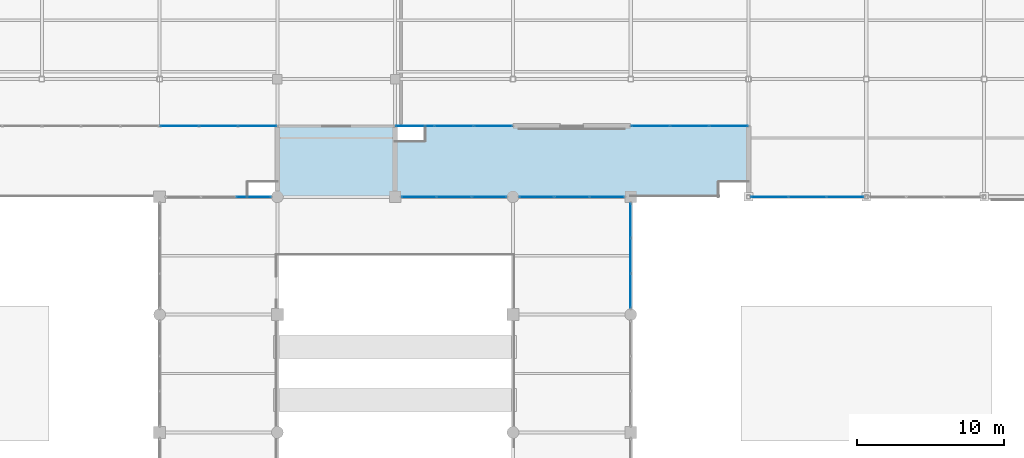
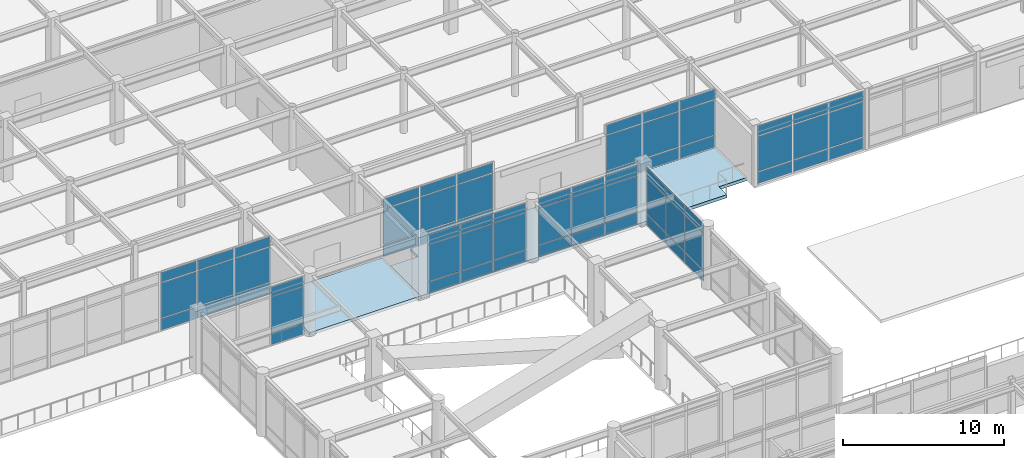
# One storey, part 86 of 117: 66 plates, 2 slabs, 8 elements without a shape of their own.
"""IFC4 building model written with IfcOpenShell, lengths in metres."""

from ifc_helpers import new_model, si_unit, direction, frame, origin, origin_2d, place, context, subcontext, project, spatial, polyline, rectangle, outline, extrude, material, layer, layer_set, type_object, element, aggregate, save


model = new_model("IFC4")

# Units and contexts
model_context = context("Model", 3, precision=1e-05, world=origin(), true_north=direction((0.0, 1.0)))
body_context = subcontext(model_context, "Body", "Model", "MODEL_VIEW")
ifc_project = project(units=[si_unit("LENGTHUNIT", "METRE"), si_unit("AREAUNIT", "SQUARE_METRE"), si_unit("VOLUMEUNIT", "CUBIC_METRE"), si_unit("PLANEANGLEUNIT", "RADIAN"), si_unit("MASSUNIT", "GRAM", prefix="KILO")], contexts=[model_context])

# Site, building, storey
site_placement = place(None, origin())
site = spatial("IfcSite", under=ifc_project, at=site_placement, CompositionType="ELEMENT")
building_placement = place(site_placement, origin())
building = spatial("IfcBuilding", under=site, at=building_placement, Name="Solmirada Galleria", CompositionType="ELEMENT")
storey_placement = place(building_placement, frame((0.0, 0.0, 5.60009765625)))
storey = spatial("IfcBuildingStorey", under=building, at=storey_placement, Name="L01", CompositionType="ELEMENT", Elevation=5.60009765625)

# Curtain wall, plates
ifc_material_1 = material(Name="Impact-resistant low-E double glazing", Category="glass")
curtain_wall_type_1 = type_object("IfcCurtainWallType", Name="CW-FZ3-L01-B3-L072", PredefinedType="NOTDEFINED", material=ifc_material_1)
curtain_wall_1_placement = place(storey_placement, origin())
curtain_wall_1 = element("IfcCurtainWall", 1, at=curtain_wall_1_placement, inside=storey, type_object=curtain_wall_type_1, Name="Terrace and arcade storefront CW-L01-047", PredefinedType="NOTDEFINED")
ifc_layer_1 = layer(ifc_material_1, 0.035888671875)
ifc_layer_set_1 = layer_set([ifc_layer_1], Name="Impact-resistant low-E double glazing")
plate_type_1 = type_object("IfcPlateType", Name="CW-PNL-CW12-T36", PredefinedType="CURTAIN_PANEL", material=ifc_layer_set_1)
plate_1_placement = place(storey_placement, frame((86.38232421875, 72.0, 0.06494140625), z_axis=(0.0, 0.0, 1.0), x_axis=(1.0, 0.0, 0.0)))
plate_1 = element("IfcPlate", 2, at=plate_1_placement, type_object=plate_type_1, Name="CW12 panel 3.1", PredefinedType="CURTAIN_PANEL", context=body_context, shape_type="SweptSolid", body=[
    extrude(rectangle(XDim=2.30126953125, YDim=0.035888671875, at=origin_2d()), origin(), (0.0, 0.0, 1.0), 0.802490234375),
])
plate_2_placement = place(storey_placement, frame((86.38232421875, 72.0, 0.9326171875), z_axis=(0.0, 0.0, 1.0), x_axis=(1.0, 0.0, 0.0)))
plate_2 = element("IfcPlate", 3, at=plate_2_placement, type_object=plate_type_1, Name="CW12 panel 3.2", PredefinedType="CURTAIN_PANEL", context=body_context, shape_type="SweptSolid", body=[
    extrude(rectangle(XDim=2.30126953125, YDim=0.035888671875, at=origin_2d()), origin(), (0.0, 0.0, 1.0), 2.764892578125),
])
plate_3_placement = place(storey_placement, frame((86.38232421875, 72.0, 3.762451171875), z_axis=(0.0, 0.0, 1.0), x_axis=(1.0, 0.0, 0.0)))
plate_3 = element("IfcPlate", 4, at=plate_3_placement, type_object=plate_type_1, Name="CW12 panel 3.3", PredefinedType="CURTAIN_PANEL", context=body_context, shape_type="SweptSolid", body=[
    extrude(rectangle(XDim=2.30126953125, YDim=0.035888671875, at=origin_2d()), origin(), (0.0, 0.0, 1.0), 0.6923828125),
])
aggregate(curtain_wall_1, [plate_1, plate_2, plate_3])

curtain_wall_2_placement = place(storey_placement, origin())
curtain_wall_2 = element("IfcCurtainWall", 5, at=curtain_wall_2_placement, inside=storey, type_object=curtain_wall_type_1, Name="Terrace and arcade storefront CW-L01-066", PredefinedType="NOTDEFINED")
plate_4_placement = place(storey_placement, frame((97.61767578125, 72.0, 0.06494140625), z_axis=(0.0, 0.0, 1.0), x_axis=(1.0, 0.0, 0.0)))
plate_4 = element("IfcPlate", 6, at=plate_4_placement, type_object=plate_type_1, Name="CW12 panel 1.1", PredefinedType="CURTAIN_PANEL", context=body_context, shape_type="SweptSolid", body=[
    extrude(rectangle(XDim=2.30126953125, YDim=0.035888671875, at=origin_2d()), origin(), (0.0, 0.0, 1.0), 0.802490234375),
])
plate_5_placement = place(storey_placement, frame((97.61767578125, 72.0, 0.9326171875), z_axis=(0.0, 0.0, 1.0), x_axis=(1.0, 0.0, 0.0)))
plate_5 = element("IfcPlate", 7, at=plate_5_placement, type_object=plate_type_1, Name="CW12 panel 1.2", PredefinedType="CURTAIN_PANEL", context=body_context, shape_type="SweptSolid", body=[
    extrude(rectangle(XDim=2.30126953125, YDim=0.035888671875, at=origin_2d()), origin(), (0.0, 0.0, 1.0), 2.764892578125),
])
plate_6_placement = place(storey_placement, frame((97.61767578125, 72.0, 3.762451171875), z_axis=(0.0, 0.0, 1.0), x_axis=(1.0, 0.0, 0.0)))
plate_6 = element("IfcPlate", 8, at=plate_6_placement, type_object=plate_type_1, Name="CW12 panel 1.3", PredefinedType="CURTAIN_PANEL", context=body_context, shape_type="SweptSolid", body=[
    extrude(rectangle(XDim=2.30126953125, YDim=0.035888671875, at=origin_2d()), origin(), (0.0, 0.0, 1.0), 0.6923828125),
])
plate_7_placement = place(storey_placement, frame((100.0, 72.0, 0.06494140625), z_axis=(0.0, 0.0, 1.0), x_axis=(1.0, 0.0, 0.0)))
plate_7 = element("IfcPlate", 9, at=plate_7_placement, type_object=plate_type_1, Name="CW12 panel 2.1", PredefinedType="CURTAIN_PANEL", context=body_context, shape_type="SweptSolid", body=[
    extrude(rectangle(XDim=2.333740234375, YDim=0.035888671875, at=origin_2d()), origin(), (0.0, 0.0, 1.0), 0.802490234375),
])
plate_8_placement = place(storey_placement, frame((100.0, 72.0, 0.9326171875), z_axis=(0.0, 0.0, 1.0), x_axis=(1.0, 0.0, 0.0)))
plate_8 = element("IfcPlate", 10, at=plate_8_placement, type_object=plate_type_1, Name="CW12 panel 2.2", PredefinedType="CURTAIN_PANEL", context=body_context, shape_type="SweptSolid", body=[
    extrude(rectangle(XDim=2.333740234375, YDim=0.035888671875, at=origin_2d()), origin(), (0.0, 0.0, 1.0), 2.764892578125),
])
plate_9_placement = place(storey_placement, frame((100.0, 72.0, 3.762451171875), z_axis=(0.0, 0.0, 1.0), x_axis=(1.0, 0.0, 0.0)))
plate_9 = element("IfcPlate", 11, at=plate_9_placement, type_object=plate_type_1, Name="CW12 panel 2.3", PredefinedType="CURTAIN_PANEL", context=body_context, shape_type="SweptSolid", body=[
    extrude(rectangle(XDim=2.333740234375, YDim=0.035888671875, at=origin_2d()), origin(), (0.0, 0.0, 1.0), 0.6923828125),
])
plate_10_placement = place(storey_placement, frame((102.38232421875, 72.0, 0.06494140625), z_axis=(0.0, 0.0, 1.0), x_axis=(1.0, 0.0, 0.0)))
plate_10 = element("IfcPlate", 12, at=plate_10_placement, type_object=plate_type_1, Name="CW12 panel 3.1", PredefinedType="CURTAIN_PANEL", context=body_context, shape_type="SweptSolid", body=[
    extrude(rectangle(XDim=2.30126953125, YDim=0.035888671875, at=origin_2d()), origin(), (0.0, 0.0, 1.0), 0.802490234375),
])
plate_11_placement = place(storey_placement, frame((102.38232421875, 72.0, 0.9326171875), z_axis=(0.0, 0.0, 1.0), x_axis=(1.0, 0.0, 0.0)))
plate_11 = element("IfcPlate", 13, at=plate_11_placement, type_object=plate_type_1, Name="CW12 panel 3.2", PredefinedType="CURTAIN_PANEL", context=body_context, shape_type="SweptSolid", body=[
    extrude(rectangle(XDim=2.30126953125, YDim=0.035888671875, at=origin_2d()), origin(), (0.0, 0.0, 1.0), 2.764892578125),
])
plate_12_placement = place(storey_placement, frame((102.38232421875, 72.0, 3.762451171875), z_axis=(0.0, 0.0, 1.0), x_axis=(1.0, 0.0, 0.0)))
plate_12 = element("IfcPlate", 14, at=plate_12_placement, type_object=plate_type_1, Name="CW12 panel 3.3", PredefinedType="CURTAIN_PANEL", context=body_context, shape_type="SweptSolid", body=[
    extrude(rectangle(XDim=2.30126953125, YDim=0.035888671875, at=origin_2d()), origin(), (0.0, 0.0, 1.0), 0.6923828125),
])
aggregate(curtain_wall_2, [plate_4, plate_5, plate_6, plate_7, plate_8, plate_9, plate_10, plate_11, plate_12])

curtain_wall_3_placement = place(storey_placement, origin())
curtain_wall_3 = element("IfcCurtainWall", 15, at=curtain_wall_3_placement, inside=storey, type_object=curtain_wall_type_1, Name="Terrace and arcade storefront CW-L01-067", PredefinedType="NOTDEFINED")
plate_13_placement = place(storey_placement, frame((105.61767578125, 72.0, 0.06494140625), z_axis=(0.0, 0.0, 1.0), x_axis=(1.0, 0.0, 0.0)))
plate_13 = element("IfcPlate", 16, at=plate_13_placement, type_object=plate_type_1, Name="CW12 panel 1.1", PredefinedType="CURTAIN_PANEL", context=body_context, shape_type="SweptSolid", body=[
    extrude(rectangle(XDim=2.30126953125, YDim=0.035888671875, at=origin_2d()), origin(), (0.0, 0.0, 1.0), 0.802490234375),
])
plate_14_placement = place(storey_placement, frame((105.61767578125, 72.0, 0.9326171875), z_axis=(0.0, 0.0, 1.0), x_axis=(1.0, 0.0, 0.0)))
plate_14 = element("IfcPlate", 17, at=plate_14_placement, type_object=plate_type_1, Name="CW12 panel 1.2", PredefinedType="CURTAIN_PANEL", context=body_context, shape_type="SweptSolid", body=[
    extrude(rectangle(XDim=2.30126953125, YDim=0.035888671875, at=origin_2d()), origin(), (0.0, 0.0, 1.0), 2.764892578125),
])
plate_15_placement = place(storey_placement, frame((105.61767578125, 72.0, 3.762451171875), z_axis=(0.0, 0.0, 1.0), x_axis=(1.0, 0.0, 0.0)))
plate_15 = element("IfcPlate", 18, at=plate_15_placement, type_object=plate_type_1, Name="CW12 panel 1.3", PredefinedType="CURTAIN_PANEL", context=body_context, shape_type="SweptSolid", body=[
    extrude(rectangle(XDim=2.30126953125, YDim=0.035888671875, at=origin_2d()), origin(), (0.0, 0.0, 1.0), 0.6923828125),
])
plate_16_placement = place(storey_placement, frame((108.0, 72.0, 0.06494140625), z_axis=(0.0, 0.0, 1.0), x_axis=(1.0, 0.0, 0.0)))
plate_16 = element("IfcPlate", 19, at=plate_16_placement, type_object=plate_type_1, Name="CW12 panel 2.1", PredefinedType="CURTAIN_PANEL", context=body_context, shape_type="SweptSolid", body=[
    extrude(rectangle(XDim=2.333740234375, YDim=0.035888671875, at=origin_2d()), origin(), (0.0, 0.0, 1.0), 0.802490234375),
])
plate_17_placement = place(storey_placement, frame((108.0, 72.0, 0.9326171875), z_axis=(0.0, 0.0, 1.0), x_axis=(1.0, 0.0, 0.0)))
plate_17 = element("IfcPlate", 20, at=plate_17_placement, type_object=plate_type_1, Name="CW12 panel 2.2", PredefinedType="CURTAIN_PANEL", context=body_context, shape_type="SweptSolid", body=[
    extrude(rectangle(XDim=2.333740234375, YDim=0.035888671875, at=origin_2d()), origin(), (0.0, 0.0, 1.0), 2.764892578125),
])
plate_18_placement = place(storey_placement, frame((108.0, 72.0, 3.762451171875), z_axis=(0.0, 0.0, 1.0), x_axis=(1.0, 0.0, 0.0)))
plate_18 = element("IfcPlate", 21, at=plate_18_placement, type_object=plate_type_1, Name="CW12 panel 2.3", PredefinedType="CURTAIN_PANEL", context=body_context, shape_type="SweptSolid", body=[
    extrude(rectangle(XDim=2.333740234375, YDim=0.035888671875, at=origin_2d()), origin(), (0.0, 0.0, 1.0), 0.6923828125),
])
plate_19_placement = place(storey_placement, frame((110.38232421875, 72.0, 0.06494140625), z_axis=(0.0, 0.0, 1.0), x_axis=(1.0, 0.0, 0.0)))
plate_19 = element("IfcPlate", 22, at=plate_19_placement, type_object=plate_type_1, Name="CW12 panel 3.1", PredefinedType="CURTAIN_PANEL", context=body_context, shape_type="SweptSolid", body=[
    extrude(rectangle(XDim=2.30126953125, YDim=0.035888671875, at=origin_2d()), origin(), (0.0, 0.0, 1.0), 0.802490234375),
])
plate_20_placement = place(storey_placement, frame((110.38232421875, 72.0, 0.9326171875), z_axis=(0.0, 0.0, 1.0), x_axis=(1.0, 0.0, 0.0)))
plate_20 = element("IfcPlate", 23, at=plate_20_placement, type_object=plate_type_1, Name="CW12 panel 3.2", PredefinedType="CURTAIN_PANEL", context=body_context, shape_type="SweptSolid", body=[
    extrude(rectangle(XDim=2.30126953125, YDim=0.035888671875, at=origin_2d()), origin(), (0.0, 0.0, 1.0), 2.764892578125),
])
plate_21_placement = place(storey_placement, frame((110.38232421875, 72.0, 3.762451171875), z_axis=(0.0, 0.0, 1.0), x_axis=(1.0, 0.0, 0.0)))
plate_21 = element("IfcPlate", 24, at=plate_21_placement, type_object=plate_type_1, Name="CW12 panel 3.3", PredefinedType="CURTAIN_PANEL", context=body_context, shape_type="SweptSolid", body=[
    extrude(rectangle(XDim=2.30126953125, YDim=0.035888671875, at=origin_2d()), origin(), (0.0, 0.0, 1.0), 0.6923828125),
])
aggregate(curtain_wall_3, [plate_13, plate_14, plate_15, plate_16, plate_17, plate_18, plate_19, plate_20, plate_21])

curtain_wall_4_placement = place(storey_placement, origin())
curtain_wall_4 = element("IfcCurtainWall", 25, at=curtain_wall_4_placement, inside=storey, type_object=curtain_wall_type_1, Name="Terrace and arcade storefront CW-L01-068", PredefinedType="NOTDEFINED")
plate_22_placement = place(storey_placement, frame((112.0, 70.38232421875, 0.06494140625), z_axis=(0.0, 0.0, 1.0), x_axis=(0.0, -1.0, 0.0)))
plate_22 = element("IfcPlate", 26, at=plate_22_placement, type_object=plate_type_1, Name="CW12 panel 1.1", PredefinedType="CURTAIN_PANEL", context=body_context, shape_type="SweptSolid", body=[
    extrude(rectangle(XDim=2.30126953125, YDim=0.035888671875, at=origin_2d()), origin(), (0.0, 0.0, 1.0), 0.802490234375),
])
plate_23_placement = place(storey_placement, frame((112.0, 70.38232421875, 0.9326171875), z_axis=(0.0, 0.0, 1.0), x_axis=(0.0, -1.0, 0.0)))
plate_23 = element("IfcPlate", 27, at=plate_23_placement, type_object=plate_type_1, Name="CW12 panel 1.2", PredefinedType="CURTAIN_PANEL", context=body_context, shape_type="SweptSolid", body=[
    extrude(rectangle(XDim=2.30126953125, YDim=0.035888671875, at=origin_2d()), origin(), (0.0, 0.0, 1.0), 2.764892578125),
])
plate_24_placement = place(storey_placement, frame((112.0, 70.38232421875, 3.762451171875), z_axis=(0.0, 0.0, 1.0), x_axis=(0.0, -1.0, 0.0)))
plate_24 = element("IfcPlate", 28, at=plate_24_placement, type_object=plate_type_1, Name="CW12 panel 1.3", PredefinedType="CURTAIN_PANEL", context=body_context, shape_type="SweptSolid", body=[
    extrude(rectangle(XDim=2.30126953125, YDim=0.035888671875, at=origin_2d()), origin(), (0.0, 0.0, 1.0), 0.6923828125),
])
plate_25_placement = place(storey_placement, frame((112.0, 68.0, 0.06494140625), z_axis=(0.0, 0.0, 1.0), x_axis=(0.0, -1.0, 0.0)))
plate_25 = element("IfcPlate", 29, at=plate_25_placement, type_object=plate_type_1, Name="CW12 panel 2.1", PredefinedType="CURTAIN_PANEL", context=body_context, shape_type="SweptSolid", body=[
    extrude(rectangle(XDim=2.333740234375, YDim=0.035888671875, at=origin_2d()), origin(), (0.0, 0.0, 1.0), 0.802490234375),
])
plate_26_placement = place(storey_placement, frame((112.0, 68.0, 0.9326171875), z_axis=(0.0, 0.0, 1.0), x_axis=(0.0, -1.0, 0.0)))
plate_26 = element("IfcPlate", 30, at=plate_26_placement, type_object=plate_type_1, Name="CW12 panel 2.2", PredefinedType="CURTAIN_PANEL", context=body_context, shape_type="SweptSolid", body=[
    extrude(rectangle(XDim=2.333740234375, YDim=0.035888671875, at=origin_2d()), origin(), (0.0, 0.0, 1.0), 2.764892578125),
])
plate_27_placement = place(storey_placement, frame((112.0, 68.0, 3.762451171875), z_axis=(0.0, 0.0, 1.0), x_axis=(0.0, -1.0, 0.0)))
plate_27 = element("IfcPlate", 31, at=plate_27_placement, type_object=plate_type_1, Name="CW12 panel 2.3", PredefinedType="CURTAIN_PANEL", context=body_context, shape_type="SweptSolid", body=[
    extrude(rectangle(XDim=2.333740234375, YDim=0.035888671875, at=origin_2d()), origin(), (0.0, 0.0, 1.0), 0.6923828125),
])
plate_28_placement = place(storey_placement, frame((112.0, 65.61767578125, 0.06494140625), z_axis=(0.0, 0.0, 1.0), x_axis=(0.0, -1.0, 0.0)))
plate_28 = element("IfcPlate", 32, at=plate_28_placement, type_object=plate_type_1, Name="CW12 panel 3.1", PredefinedType="CURTAIN_PANEL", context=body_context, shape_type="SweptSolid", body=[
    extrude(rectangle(XDim=2.30126953125, YDim=0.035888671875, at=origin_2d()), origin(), (0.0, 0.0, 1.0), 0.802490234375),
])
plate_29_placement = place(storey_placement, frame((112.0, 65.61767578125, 0.9326171875), z_axis=(0.0, 0.0, 1.0), x_axis=(0.0, -1.0, 0.0)))
plate_29 = element("IfcPlate", 33, at=plate_29_placement, type_object=plate_type_1, Name="CW12 panel 3.2", PredefinedType="CURTAIN_PANEL", context=body_context, shape_type="SweptSolid", body=[
    extrude(rectangle(XDim=2.30126953125, YDim=0.035888671875, at=origin_2d()), origin(), (0.0, 0.0, 1.0), 2.764892578125),
])
plate_30_placement = place(storey_placement, frame((112.0, 65.61767578125, 3.762451171875), z_axis=(0.0, 0.0, 1.0), x_axis=(0.0, -1.0, 0.0)))
plate_30 = element("IfcPlate", 34, at=plate_30_placement, type_object=plate_type_1, Name="CW12 panel 3.3", PredefinedType="CURTAIN_PANEL", context=body_context, shape_type="SweptSolid", body=[
    extrude(rectangle(XDim=2.30126953125, YDim=0.035888671875, at=origin_2d()), origin(), (0.0, 0.0, 1.0), 0.6923828125),
])
aggregate(curtain_wall_4, [plate_22, plate_23, plate_24, plate_25, plate_26, plate_27, plate_28, plate_29, plate_30])

curtain_wall_type_2 = type_object("IfcCurtainWallType", Name="CW-FZ4-L01-B3-L080", PredefinedType="NOTDEFINED", material=ifc_material_1)
curtain_wall_5_placement = place(storey_placement, origin())
curtain_wall_5 = element("IfcCurtainWall", 35, at=curtain_wall_5_placement, inside=storey, type_object=curtain_wall_type_2, Name="Terrace and arcade storefront CW-L01-048", PredefinedType="NOTDEFINED")
ifc_layer_2 = layer(ifc_material_1, 0.0419921875)
ifc_layer_set_2 = layer_set([ifc_layer_2], Name="Impact-resistant low-E double glazing")
plate_type_2 = type_object("IfcPlateType", Name="CW-PNL-CW13-T42", PredefinedType="CURTAIN_PANEL", material=ifc_layer_set_2)
plate_31_placement = place(storey_placement, frame((86.650390625, 76.800048828125, 0.06494140625), z_axis=(0.0, 0.0, 1.0), x_axis=(-1.0, 0.0, 0.0)))
plate_31 = element("IfcPlate", 36, at=plate_31_placement, type_object=plate_type_2, Name="CW13 panel 1.1", PredefinedType="CURTAIN_PANEL", context=body_context, shape_type="SweptSolid", body=[
    extrude(rectangle(XDim=2.569091796875, YDim=0.0419921875, at=origin_2d()), origin(), (0.0, 0.0, 1.0), 0.862548828125),
])
plate_32_placement = place(storey_placement, frame((86.650390625, 76.800048828125, 0.9921875), z_axis=(0.0, 0.0, 1.0), x_axis=(-1.0, 0.0, 0.0)))
plate_32 = element("IfcPlate", 37, at=plate_32_placement, type_object=plate_type_2, Name="CW13 panel 1.2", PredefinedType="CURTAIN_PANEL", context=body_context, shape_type="SweptSolid", body=[
    extrude(rectangle(XDim=2.569091796875, YDim=0.0419921875, at=origin_2d()), origin(), (0.0, 0.0, 1.0), 2.655029296875),
])
plate_33_placement = place(storey_placement, frame((86.650390625, 76.800048828125, 3.71240234375), z_axis=(0.0, 0.0, 1.0), x_axis=(-1.0, 0.0, 0.0)))
plate_33 = element("IfcPlate", 38, at=plate_33_placement, type_object=plate_type_2, Name="CW13 panel 1.3", PredefinedType="CURTAIN_PANEL", context=body_context, shape_type="SweptSolid", body=[
    extrude(rectangle(XDim=2.569091796875, YDim=0.0419921875, at=origin_2d()), origin(), (0.0, 0.0, 1.0), 0.742431640625),
])
plate_34_placement = place(storey_placement, frame((84.0, 76.800048828125, 0.06494140625), z_axis=(0.0, 0.0, 1.0), x_axis=(-1.0, 0.0, 0.0)))
plate_34 = element("IfcPlate", 39, at=plate_34_placement, type_object=plate_type_2, Name="CW13 panel 2.1", PredefinedType="CURTAIN_PANEL", context=body_context, shape_type="SweptSolid", body=[
    extrude(rectangle(XDim=2.6015625, YDim=0.0419921875, at=origin_2d()), origin(), (0.0, 0.0, 1.0), 0.862548828125),
])
plate_35_placement = place(storey_placement, frame((84.0, 76.800048828125, 0.9921875), z_axis=(0.0, 0.0, 1.0), x_axis=(-1.0, 0.0, 0.0)))
plate_35 = element("IfcPlate", 40, at=plate_35_placement, type_object=plate_type_2, Name="CW13 panel 2.2", PredefinedType="CURTAIN_PANEL", context=body_context, shape_type="SweptSolid", body=[
    extrude(rectangle(XDim=2.6015625, YDim=0.0419921875, at=origin_2d()), origin(), (0.0, 0.0, 1.0), 2.655029296875),
])
plate_36_placement = place(storey_placement, frame((84.0, 76.800048828125, 3.71240234375), z_axis=(0.0, 0.0, 1.0), x_axis=(-1.0, 0.0, 0.0)))
plate_36 = element("IfcPlate", 41, at=plate_36_placement, type_object=plate_type_2, Name="CW13 panel 2.3", PredefinedType="CURTAIN_PANEL", context=body_context, shape_type="SweptSolid", body=[
    extrude(rectangle(XDim=2.6015625, YDim=0.0419921875, at=origin_2d()), origin(), (0.0, 0.0, 1.0), 0.742431640625),
])
plate_37_placement = place(storey_placement, frame((81.349609375, 76.800048828125, 0.06494140625), z_axis=(0.0, 0.0, 1.0), x_axis=(-1.0, 0.0, 0.0)))
plate_37 = element("IfcPlate", 42, at=plate_37_placement, type_object=plate_type_2, Name="CW13 panel 3.1", PredefinedType="CURTAIN_PANEL", context=body_context, shape_type="SweptSolid", body=[
    extrude(rectangle(XDim=2.569091796875, YDim=0.0419921875, at=origin_2d()), origin(), (0.0, 0.0, 1.0), 0.862548828125),
])
plate_38_placement = place(storey_placement, frame((81.349609375, 76.800048828125, 0.9921875), z_axis=(0.0, 0.0, 1.0), x_axis=(-1.0, 0.0, 0.0)))
plate_38 = element("IfcPlate", 43, at=plate_38_placement, type_object=plate_type_2, Name="CW13 panel 3.2", PredefinedType="CURTAIN_PANEL", context=body_context, shape_type="SweptSolid", body=[
    extrude(rectangle(XDim=2.569091796875, YDim=0.0419921875, at=origin_2d()), origin(), (0.0, 0.0, 1.0), 2.655029296875),
])
plate_39_placement = place(storey_placement, frame((81.349609375, 76.800048828125, 3.71240234375), z_axis=(0.0, 0.0, 1.0), x_axis=(-1.0, 0.0, 0.0)))
plate_39 = element("IfcPlate", 44, at=plate_39_placement, type_object=plate_type_2, Name="CW13 panel 3.3", PredefinedType="CURTAIN_PANEL", context=body_context, shape_type="SweptSolid", body=[
    extrude(rectangle(XDim=2.569091796875, YDim=0.0419921875, at=origin_2d()), origin(), (0.0, 0.0, 1.0), 0.742431640625),
])
aggregate(curtain_wall_5, [plate_31, plate_32, plate_33, plate_34, plate_35, plate_36, plate_37, plate_38, plate_39])

curtain_wall_6_placement = place(storey_placement, origin())
curtain_wall_6 = element("IfcCurtainWall", 45, at=curtain_wall_6_placement, inside=storey, type_object=curtain_wall_type_2, Name="Terrace and arcade storefront CW-L01-064", PredefinedType="NOTDEFINED")
plate_40_placement = place(storey_placement, frame((118.650390625, 76.800048828125, 0.06494140625), z_axis=(0.0, 0.0, 1.0), x_axis=(-1.0, 0.0, 0.0)))
plate_40 = element("IfcPlate", 46, at=plate_40_placement, type_object=plate_type_2, Name="CW13 panel 1.1", PredefinedType="CURTAIN_PANEL", context=body_context, shape_type="SweptSolid", body=[
    extrude(rectangle(XDim=2.569091796875, YDim=0.0419921875, at=origin_2d()), origin(), (0.0, 0.0, 1.0), 0.862548828125),
])
plate_41_placement = place(storey_placement, frame((118.650390625, 76.800048828125, 0.9921875), z_axis=(0.0, 0.0, 1.0), x_axis=(-1.0, 0.0, 0.0)))
plate_41 = element("IfcPlate", 47, at=plate_41_placement, type_object=plate_type_2, Name="CW13 panel 1.2", PredefinedType="CURTAIN_PANEL", context=body_context, shape_type="SweptSolid", body=[
    extrude(rectangle(XDim=2.569091796875, YDim=0.0419921875, at=origin_2d()), origin(), (0.0, 0.0, 1.0), 2.655029296875),
])
plate_42_placement = place(storey_placement, frame((118.650390625, 76.800048828125, 3.71240234375), z_axis=(0.0, 0.0, 1.0), x_axis=(-1.0, 0.0, 0.0)))
plate_42 = element("IfcPlate", 48, at=plate_42_placement, type_object=plate_type_2, Name="CW13 panel 1.3", PredefinedType="CURTAIN_PANEL", context=body_context, shape_type="SweptSolid", body=[
    extrude(rectangle(XDim=2.569091796875, YDim=0.0419921875, at=origin_2d()), origin(), (0.0, 0.0, 1.0), 0.742431640625),
])
plate_43_placement = place(storey_placement, frame((116.0, 76.800048828125, 0.06494140625), z_axis=(0.0, 0.0, 1.0), x_axis=(-1.0, 0.0, 0.0)))
plate_43 = element("IfcPlate", 49, at=plate_43_placement, type_object=plate_type_2, Name="CW13 panel 2.1", PredefinedType="CURTAIN_PANEL", context=body_context, shape_type="SweptSolid", body=[
    extrude(rectangle(XDim=2.6015625, YDim=0.0419921875, at=origin_2d()), origin(), (0.0, 0.0, 1.0), 0.862548828125),
])
plate_44_placement = place(storey_placement, frame((116.0, 76.800048828125, 0.9921875), z_axis=(0.0, 0.0, 1.0), x_axis=(-1.0, 0.0, 0.0)))
plate_44 = element("IfcPlate", 50, at=plate_44_placement, type_object=plate_type_2, Name="CW13 panel 2.2", PredefinedType="CURTAIN_PANEL", context=body_context, shape_type="SweptSolid", body=[
    extrude(rectangle(XDim=2.6015625, YDim=0.0419921875, at=origin_2d()), origin(), (0.0, 0.0, 1.0), 2.655029296875),
])
plate_45_placement = place(storey_placement, frame((116.0, 76.800048828125, 3.71240234375), z_axis=(0.0, 0.0, 1.0), x_axis=(-1.0, 0.0, 0.0)))
plate_45 = element("IfcPlate", 51, at=plate_45_placement, type_object=plate_type_2, Name="CW13 panel 2.3", PredefinedType="CURTAIN_PANEL", context=body_context, shape_type="SweptSolid", body=[
    extrude(rectangle(XDim=2.6015625, YDim=0.0419921875, at=origin_2d()), origin(), (0.0, 0.0, 1.0), 0.742431640625),
])
plate_46_placement = place(storey_placement, frame((113.349609375, 76.800048828125, 0.06494140625), z_axis=(0.0, 0.0, 1.0), x_axis=(-1.0, 0.0, 0.0)))
plate_46 = element("IfcPlate", 52, at=plate_46_placement, type_object=plate_type_2, Name="CW13 panel 3.1", PredefinedType="CURTAIN_PANEL", context=body_context, shape_type="SweptSolid", body=[
    extrude(rectangle(XDim=2.569091796875, YDim=0.0419921875, at=origin_2d()), origin(), (0.0, 0.0, 1.0), 0.862548828125),
])
plate_47_placement = place(storey_placement, frame((113.349609375, 76.800048828125, 0.9921875), z_axis=(0.0, 0.0, 1.0), x_axis=(-1.0, 0.0, 0.0)))
plate_47 = element("IfcPlate", 53, at=plate_47_placement, type_object=plate_type_2, Name="CW13 panel 3.2", PredefinedType="CURTAIN_PANEL", context=body_context, shape_type="SweptSolid", body=[
    extrude(rectangle(XDim=2.569091796875, YDim=0.0419921875, at=origin_2d()), origin(), (0.0, 0.0, 1.0), 2.655029296875),
])
plate_48_placement = place(storey_placement, frame((113.349609375, 76.800048828125, 3.71240234375), z_axis=(0.0, 0.0, 1.0), x_axis=(-1.0, 0.0, 0.0)))
plate_48 = element("IfcPlate", 54, at=plate_48_placement, type_object=plate_type_2, Name="CW13 panel 3.3", PredefinedType="CURTAIN_PANEL", context=body_context, shape_type="SweptSolid", body=[
    extrude(rectangle(XDim=2.569091796875, YDim=0.0419921875, at=origin_2d()), origin(), (0.0, 0.0, 1.0), 0.742431640625),
])
aggregate(curtain_wall_6, [plate_40, plate_41, plate_42, plate_43, plate_44, plate_45, plate_46, plate_47, plate_48])

curtain_wall_7_placement = place(storey_placement, origin())
curtain_wall_7 = element("IfcCurtainWall", 55, at=curtain_wall_7_placement, inside=storey, type_object=curtain_wall_type_2, Name="Terrace and arcade storefront CW-L01-065", PredefinedType="NOTDEFINED")
plate_49_placement = place(storey_placement, frame((102.650390625, 76.800048828125, 0.06494140625), z_axis=(0.0, 0.0, 1.0), x_axis=(-1.0, 0.0, 0.0)))
plate_49 = element("IfcPlate", 56, at=plate_49_placement, type_object=plate_type_2, Name="CW13 panel 1.1", PredefinedType="CURTAIN_PANEL", context=body_context, shape_type="SweptSolid", body=[
    extrude(rectangle(XDim=2.569091796875, YDim=0.0419921875, at=origin_2d()), origin(), (0.0, 0.0, 1.0), 0.862548828125),
])
plate_50_placement = place(storey_placement, frame((102.650390625, 76.800048828125, 0.9921875), z_axis=(0.0, 0.0, 1.0), x_axis=(-1.0, 0.0, 0.0)))
plate_50 = element("IfcPlate", 57, at=plate_50_placement, type_object=plate_type_2, Name="CW13 panel 1.2", PredefinedType="CURTAIN_PANEL", context=body_context, shape_type="SweptSolid", body=[
    extrude(rectangle(XDim=2.569091796875, YDim=0.0419921875, at=origin_2d()), origin(), (0.0, 0.0, 1.0), 2.655029296875),
])
plate_51_placement = place(storey_placement, frame((102.650390625, 76.800048828125, 3.71240234375), z_axis=(0.0, 0.0, 1.0), x_axis=(-1.0, 0.0, 0.0)))
plate_51 = element("IfcPlate", 58, at=plate_51_placement, type_object=plate_type_2, Name="CW13 panel 1.3", PredefinedType="CURTAIN_PANEL", context=body_context, shape_type="SweptSolid", body=[
    extrude(rectangle(XDim=2.569091796875, YDim=0.0419921875, at=origin_2d()), origin(), (0.0, 0.0, 1.0), 0.742431640625),
])
plate_52_placement = place(storey_placement, frame((100.0, 76.800048828125, 0.06494140625), z_axis=(0.0, 0.0, 1.0), x_axis=(-1.0, 0.0, 0.0)))
plate_52 = element("IfcPlate", 59, at=plate_52_placement, type_object=plate_type_2, Name="CW13 panel 2.1", PredefinedType="CURTAIN_PANEL", context=body_context, shape_type="SweptSolid", body=[
    extrude(rectangle(XDim=2.6015625, YDim=0.0419921875, at=origin_2d()), origin(), (0.0, 0.0, 1.0), 0.862548828125),
])
plate_53_placement = place(storey_placement, frame((100.0, 76.800048828125, 0.9921875), z_axis=(0.0, 0.0, 1.0), x_axis=(-1.0, 0.0, 0.0)))
plate_53 = element("IfcPlate", 60, at=plate_53_placement, type_object=plate_type_2, Name="CW13 panel 2.2", PredefinedType="CURTAIN_PANEL", context=body_context, shape_type="SweptSolid", body=[
    extrude(rectangle(XDim=2.6015625, YDim=0.0419921875, at=origin_2d()), origin(), (0.0, 0.0, 1.0), 2.655029296875),
])
plate_54_placement = place(storey_placement, frame((100.0, 76.800048828125, 3.71240234375), z_axis=(0.0, 0.0, 1.0), x_axis=(-1.0, 0.0, 0.0)))
plate_54 = element("IfcPlate", 61, at=plate_54_placement, type_object=plate_type_2, Name="CW13 panel 2.3", PredefinedType="CURTAIN_PANEL", context=body_context, shape_type="SweptSolid", body=[
    extrude(rectangle(XDim=2.6015625, YDim=0.0419921875, at=origin_2d()), origin(), (0.0, 0.0, 1.0), 0.742431640625),
])
plate_55_placement = place(storey_placement, frame((97.349609375, 76.800048828125, 0.06494140625), z_axis=(0.0, 0.0, 1.0), x_axis=(-1.0, 0.0, 0.0)))
plate_55 = element("IfcPlate", 62, at=plate_55_placement, type_object=plate_type_2, Name="CW13 panel 3.1", PredefinedType="CURTAIN_PANEL", context=body_context, shape_type="SweptSolid", body=[
    extrude(rectangle(XDim=2.569091796875, YDim=0.0419921875, at=origin_2d()), origin(), (0.0, 0.0, 1.0), 0.862548828125),
])
plate_56_placement = place(storey_placement, frame((97.349609375, 76.800048828125, 0.9921875), z_axis=(0.0, 0.0, 1.0), x_axis=(-1.0, 0.0, 0.0)))
plate_56 = element("IfcPlate", 63, at=plate_56_placement, type_object=plate_type_2, Name="CW13 panel 3.2", PredefinedType="CURTAIN_PANEL", context=body_context, shape_type="SweptSolid", body=[
    extrude(rectangle(XDim=2.569091796875, YDim=0.0419921875, at=origin_2d()), origin(), (0.0, 0.0, 1.0), 2.655029296875),
])
plate_57_placement = place(storey_placement, frame((97.349609375, 76.800048828125, 3.71240234375), z_axis=(0.0, 0.0, 1.0), x_axis=(-1.0, 0.0, 0.0)))
plate_57 = element("IfcPlate", 64, at=plate_57_placement, type_object=plate_type_2, Name="CW13 panel 3.3", PredefinedType="CURTAIN_PANEL", context=body_context, shape_type="SweptSolid", body=[
    extrude(rectangle(XDim=2.569091796875, YDim=0.0419921875, at=origin_2d()), origin(), (0.0, 0.0, 1.0), 0.742431640625),
])
aggregate(curtain_wall_7, [plate_49, plate_50, plate_51, plate_52, plate_53, plate_54, plate_55, plate_56, plate_57])

curtain_wall_type_3 = type_object("IfcCurtainWallType", Name="CW-FZ4-L01-B3-L077", PredefinedType="NOTDEFINED", material=ifc_material_1)
curtain_wall_8_placement = place(storey_placement, origin())
curtain_wall_8 = element("IfcCurtainWall", 65, at=curtain_wall_8_placement, inside=storey, type_object=curtain_wall_type_3, Name="Terrace and arcade storefront CW-L01-063", PredefinedType="NOTDEFINED")
ifc_layer_3 = layer(ifc_material_1, 0.028076171875)
ifc_layer_set_3 = layer_set([ifc_layer_3], Name="Impact-resistant low-E double glazing")
plate_type_3 = type_object("IfcPlateType", Name="CW-PNL-CW16-T28", PredefinedType="CURTAIN_PANEL", material=ifc_layer_set_3)
plate_58_placement = place(storey_placement, frame((126.564453125, 72.0, 0.06494140625), z_axis=(0.0, 0.0, 1.0), x_axis=(-1.0, 0.0, 0.0)))
plate_58 = element("IfcPlate", 66, at=plate_58_placement, type_object=plate_type_3, Name="CW16 panel 1.1", PredefinedType="CURTAIN_PANEL", context=body_context, shape_type="SweptSolid", body=[
    extrude(rectangle(XDim=2.483154296875, YDim=0.028076171875, at=origin_2d()), origin(), (0.0, 0.0, 1.0), 0.862548828125),
])
plate_59_placement = place(storey_placement, frame((126.564453125, 72.0, 0.9921875), z_axis=(0.0, 0.0, 1.0), x_axis=(-1.0, 0.0, 0.0)))
plate_59 = element("IfcPlate", 67, at=plate_59_placement, type_object=plate_type_3, Name="CW16 panel 1.2", PredefinedType="CURTAIN_PANEL", context=body_context, shape_type="SweptSolid", body=[
    extrude(rectangle(XDim=2.483154296875, YDim=0.028076171875, at=origin_2d()), origin(), (0.0, 0.0, 1.0), 2.655029296875),
])
plate_60_placement = place(storey_placement, frame((126.564453125, 72.0, 3.71240234375), z_axis=(0.0, 0.0, 1.0), x_axis=(-1.0, 0.0, 0.0)))
plate_60 = element("IfcPlate", 68, at=plate_60_placement, type_object=plate_type_3, Name="CW16 panel 1.3", PredefinedType="CURTAIN_PANEL", context=body_context, shape_type="SweptSolid", body=[
    extrude(rectangle(XDim=2.483154296875, YDim=0.028076171875, at=origin_2d()), origin(), (0.0, 0.0, 1.0), 0.742431640625),
])
plate_61_placement = place(storey_placement, frame((124.0, 72.0, 0.06494140625), z_axis=(0.0, 0.0, 1.0), x_axis=(-1.0, 0.0, 0.0)))
plate_61 = element("IfcPlate", 69, at=plate_61_placement, type_object=plate_type_3, Name="CW16 panel 2.1", PredefinedType="CURTAIN_PANEL", context=body_context, shape_type="SweptSolid", body=[
    extrude(rectangle(XDim=2.515625, YDim=0.028076171875, at=origin_2d()), origin(), (0.0, 0.0, 1.0), 0.862548828125),
])
plate_62_placement = place(storey_placement, frame((124.0, 72.0, 0.9921875), z_axis=(0.0, 0.0, 1.0), x_axis=(-1.0, 0.0, 0.0)))
plate_62 = element("IfcPlate", 70, at=plate_62_placement, type_object=plate_type_3, Name="CW16 panel 2.2", PredefinedType="CURTAIN_PANEL", context=body_context, shape_type="SweptSolid", body=[
    extrude(rectangle(XDim=2.515625, YDim=0.028076171875, at=origin_2d()), origin(), (0.0, 0.0, 1.0), 2.655029296875),
])
plate_63_placement = place(storey_placement, frame((124.0, 72.0, 3.71240234375), z_axis=(0.0, 0.0, 1.0), x_axis=(-1.0, 0.0, 0.0)))
plate_63 = element("IfcPlate", 71, at=plate_63_placement, type_object=plate_type_3, Name="CW16 panel 2.3", PredefinedType="CURTAIN_PANEL", context=body_context, shape_type="SweptSolid", body=[
    extrude(rectangle(XDim=2.515625, YDim=0.028076171875, at=origin_2d()), origin(), (0.0, 0.0, 1.0), 0.742431640625),
])
plate_64_placement = place(storey_placement, frame((121.435546875, 72.0, 0.06494140625), z_axis=(0.0, 0.0, 1.0), x_axis=(-1.0, 0.0, 0.0)))
plate_64 = element("IfcPlate", 72, at=plate_64_placement, type_object=plate_type_3, Name="CW16 panel 3.1", PredefinedType="CURTAIN_PANEL", context=body_context, shape_type="SweptSolid", body=[
    extrude(rectangle(XDim=2.483154296875, YDim=0.028076171875, at=origin_2d()), origin(), (0.0, 0.0, 1.0), 0.862548828125),
])
plate_65_placement = place(storey_placement, frame((121.435546875, 72.0, 0.9921875), z_axis=(0.0, 0.0, 1.0), x_axis=(-1.0, 0.0, 0.0)))
plate_65 = element("IfcPlate", 73, at=plate_65_placement, type_object=plate_type_3, Name="CW16 panel 3.2", PredefinedType="CURTAIN_PANEL", context=body_context, shape_type="SweptSolid", body=[
    extrude(rectangle(XDim=2.483154296875, YDim=0.028076171875, at=origin_2d()), origin(), (0.0, 0.0, 1.0), 2.655029296875),
])
plate_66_placement = place(storey_placement, frame((121.435546875, 72.0, 3.71240234375), z_axis=(0.0, 0.0, 1.0), x_axis=(-1.0, 0.0, 0.0)))
plate_66 = element("IfcPlate", 74, at=plate_66_placement, type_object=plate_type_3, Name="CW16 panel 3.3", PredefinedType="CURTAIN_PANEL", context=body_context, shape_type="SweptSolid", body=[
    extrude(rectangle(XDim=2.483154296875, YDim=0.028076171875, at=origin_2d()), origin(), (0.0, 0.0, 1.0), 0.742431640625),
])
aggregate(curtain_wall_8, [plate_58, plate_59, plate_60, plate_61, plate_62, plate_63, plate_64, plate_65, plate_66])

# Slabs
ifc_material_2 = material(Name="Concrete C35/45", Category="concrete")
ifc_layer_4 = layer(ifc_material_2, 0.219970703125)
ifc_layer_set_4 = layer_set([ifc_layer_4], Name="Concrete C35/45")
slab_type_1 = type_object("IfcSlabType", Name="SLB-FLOOR-220", PredefinedType="FLOOR", material=ifc_layer_set_4)
slab_1_placement = place(storey_placement, frame((0.0, 0.0, -0.22021484375)))
element("IfcSlab", 75, at=slab_1_placement, inside=storey, type_object=slab_type_1, Name="Slab L01-BRG-N", PredefinedType="FLOOR", context=body_context, shape_type="SweptSolid", body=[
    extrude(outline(polyline([(88.0, 72.0), (96.0, 72.0), (96.0, 76.800048828125), (88.0, 76.800048828125), (88.0, 72.0)])), origin(), (0.0, 0.0, 1.0), 0.22021484375),
])
ifc_layer_5 = layer(ifc_material_2, 0.239990234375)
ifc_layer_set_5 = layer_set([ifc_layer_5], Name="Concrete C35/45")
slab_type_2 = type_object("IfcSlabType", Name="SLB-TERR-240", PredefinedType="FLOOR", material=ifc_layer_set_5)
slab_2_placement = place(storey_placement, frame((0.0, 0.0, -0.239990234375)))
element("IfcSlab", 76, at=slab_2_placement, inside=storey, type_object=slab_type_2, Name="Slab L01-TERR-NE", PredefinedType="FLOOR", context=body_context, shape_type="SweptSolid", body=[
    extrude(outline(polyline([(96.0, 72.0), (118.0, 72.0), (118.0, 73.0), (120.0, 73.0), (120.0, 76.800048828125), (98.0, 76.800048828125), (98.0, 75.800048828125), (96.0, 75.800048828125), (96.0, 72.0)])), origin(), (0.0, 0.0, 1.0), 0.239990234375),
])

save(model, "model.ifc")
